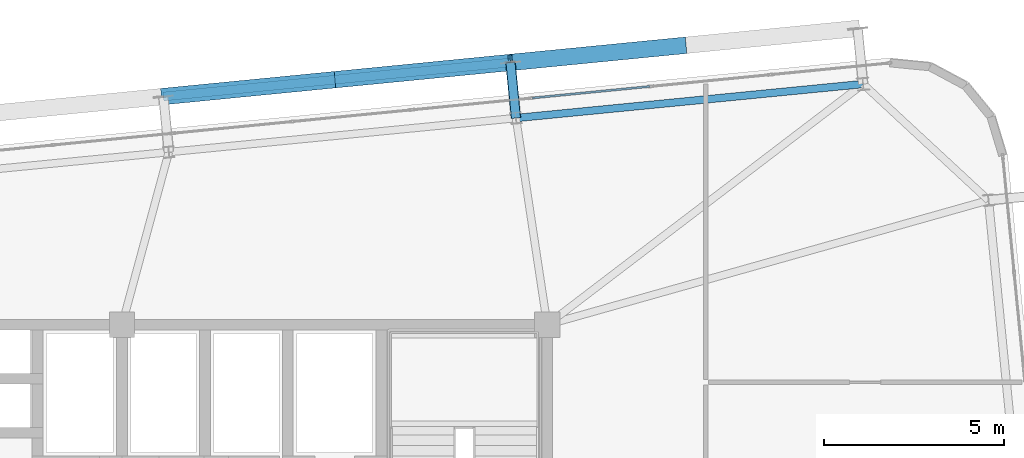
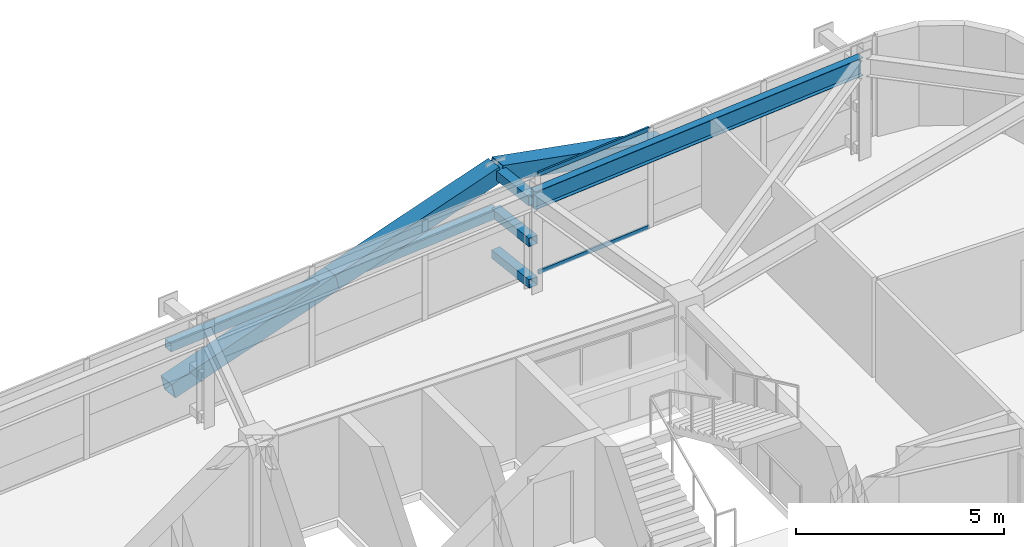
# One storey, part 32 of 53: 9 members, 1 beam, 1 element without a shape of its own.
"""IFC4 building model written with IfcOpenShell, lengths in metres."""

from ifc_helpers import new_model, si_unit, direction, frame, origin, origin_2d, place, context, subcontext, project, spatial, hollow_rectangle, i_section, extrude, source, transform, mapped, material, layer, layer_set, material_profile, profile_set, type_object, element, aggregate, save


model = new_model("IFC4")

# Units and contexts
model_context = context("Model", 3, precision=1e-05, world=origin(), true_north=direction((0.0, 1.0)))
body_context = subcontext(model_context, "Body", "Model", "MODEL_VIEW")
ifc_project = project(units=[si_unit("LENGTHUNIT", "METRE"), si_unit("AREAUNIT", "SQUARE_METRE"), si_unit("VOLUMEUNIT", "CUBIC_METRE"), si_unit("PLANEANGLEUNIT", "RADIAN"), si_unit("MASSUNIT", "GRAM", prefix="KILO")], contexts=[model_context])

# Site, building, storey
site_placement = place(None, origin())
site = spatial("IfcSite", under=ifc_project, at=site_placement, CompositionType="ELEMENT")
building_placement = place(site_placement, origin())
building = spatial("IfcBuilding", under=site, at=building_placement, Name="Taldren Reach Tower", CompositionType="ELEMENT")
storey_placement = place(building_placement, frame((0.0, 0.0, 84.0)))
storey = spatial("IfcBuildingStorey", under=building, at=storey_placement, Name="L25", CompositionType="ELEMENT", Elevation=84.0)

# Members
ifc_material_1 = material(Name="Steel Gr 450 (C450L0)", Category="steel")
ifc_material_profile_1 = material_profile(ifc_material_1, hollow_rectangle(XDim=0.27490234375, YDim=0.27490234375, WallThickness=0.00927734375, at=origin_2d()), Name="275x275x9.3SHS")
ifc_profile_set_1 = profile_set([ifc_material_profile_1], Name="Steel Gr 450 (C450L0)")
member_type_1 = type_object("IfcMemberType", Name="MB-TIE273", PredefinedType="STRUT", material=ifc_profile_set_1)
shared_shape_1 = source(origin(), body_context, "Body", "SweptSolid", [
    extrude(hollow_rectangle(XDim=0.27490234375, YDim=0.27490234375, WallThickness=0.00927734375, at=origin_2d()), origin(), (0.0, 0.0, 1.0), 1.5498046875),
])
member_1_placement = place(storey_placement, frame((50.132080078125, 37.7353515625, 2.64990234375), z_axis=(-0.097663201064, 0.995219523099, 0.0), x_axis=(-0.995219523099, -0.097663201064, 0.0)))
element("IfcMember", 1, at=member_1_placement, inside=storey, type_object=member_type_1, Name="Exoskeleton diaphragm tie strut B2-N5 L25", PredefinedType="STRUT", context=body_context, shape_type="MappedRepresentation", body=[
    mapped(shared_shape_1, transform((0.0, 0.0, 0.0), scale=1.0)),
])
ifc_material_2 = material(Name="Steel Gr 350 (C350L0)", Category="steel")
ifc_material_profile_2 = material_profile(ifc_material_2, hollow_rectangle(XDim=0.25, YDim=0.25, WallThickness=0.010009765625, at=origin_2d()), Name="250x250x10.0SHS")
ifc_profile_set_2 = profile_set([ifc_material_profile_2], Name="Steel Gr 350 (C350L0)")
member_type_2 = type_object("IfcMemberType", Name="MB-POST250", PredefinedType="POST", material=ifc_profile_set_2)
shared_shape_2 = source(origin(), body_context, "Body", "SweptSolid", [
    extrude(hollow_rectangle(XDim=0.25, YDim=0.25, WallThickness=0.010009765625, at=origin_2d()), origin(), (0.0, 0.0, 1.0), 1.5498046875),
])
for number, where, z_axis, x_axis, name in (
    (2, (50.132080078125, 37.7353515625, 0.219970703125), (-0.097663201064, 0.995219523099, 0.0), (-0.995219523099, -0.097663201064, 0.0), "Exoskeleton base diaphragm tie strut B2-N5 L25"),
    (3, (50.132080078125, 37.7353515625, 1.43505859375), (-0.097663201064, 0.995219523099, 0.0), (-0.995219523099, -0.097663201064, 0.0), "Exoskeleton mid-tier diaphragm tie B2-N5 L25"),
):
    element("IfcMember", number, at=place(storey_placement, frame(where, z_axis=z_axis, x_axis=x_axis)), inside=storey, type_object=member_type_2, Name=name, PredefinedType="POST", context=body_context, shape_type="MappedRepresentation", body=[
        mapped(shared_shape_2, transform((0.0, 0.0, 0.0), scale=1.0)),
    ])

# Beam
ifc_material_3 = material(Name="Steel Gr 350 (350PLUS)", Category="steel")
ifc_material_profile_3 = material_profile(ifc_material_3, i_section(OverallWidth=0.208984375, OverallDepth=0.528076171875, WebThickness=0.009521484375, FlangeThickness=0.01318359375, at=origin_2d()), Name="530UB82.0")
ifc_profile_set_3 = profile_set([ifc_material_profile_3], Name="Steel Gr 350 (350PLUS)")
beam_type = type_object("IfcBeamType", Name="SP-UB530B", PredefinedType="SPANDREL", material=ifc_profile_set_3)
shared_shape_3 = source(origin(), body_context, "Body", "SweptSolid", [
    extrude(i_section(OverallWidth=0.208984375, OverallDepth=0.528076171875, WebThickness=0.009521484375, FlangeThickness=0.01318359375, at=origin_2d()), origin(), (0.0, 0.0, 1.0), 9.679931640625),
])
beam_placement = place(storey_placement, frame((59.765869140625, 38.679931640625, 2.666015625), z_axis=(-0.995227612658, -0.097580730699, 0.0), x_axis=(0.097580730699, -0.995227612658, 0.0)))
element("IfcBeam", 4, at=beam_placement, inside=storey, type_object=beam_type, Name="Perimeter spandrel B2 N6-N5 L25", PredefinedType="SPANDREL", context=body_context, shape_type="MappedRepresentation", body=[
    mapped(shared_shape_3, transform((0.0, 0.0, 0.0), scale=1.0)),
])

# Members
ifc_material_profile_4 = material_profile(ifc_material_1, hollow_rectangle(XDim=0.4599609375, YDim=0.4599609375, WallThickness=0.01611328125, at=origin_2d()), Name="460x460x16.0SHS")
ifc_profile_set_4 = profile_set([ifc_material_profile_4], Name="Steel Gr 450 (C450L0)")
member_type_3 = type_object("IfcMemberType", Name="MB-EXO457", PredefinedType="BRACE", material=ifc_profile_set_4)
shared_shape_4 = source(origin(), body_context, "Body", "SweptSolid", [
    extrude(hollow_rectangle(XDim=0.4599609375, YDim=0.4599609375, WallThickness=0.01611328125, at=origin_2d()), origin(), (0.0, 0.0, 1.0), 4.990234375),
])
for number, where, z_axis, x_axis, name in (
    (5, (40.346923828125, 38.333251953125, 0.219970703125), (0.965271056716, 0.094667992638, 0.243494883389), (-0.097605711627, 0.995225162995, 0.0), "Exoskeleton Diagrid Brace B2-N4 L25"),
    (6, (45.163818359375, 38.8056640625, 1.43505859375), (0.965287024526, 0.094620633828, 0.24344998652), (-0.097555749586, 0.995230061706, 0.0), "Exoskeleton Diagrid Brace B2-N4 L25"),
    (7, (54.797607421875, 39.750244140625, 1.43505859375), (-0.965282554799, -0.094669120301, 0.243448859234), (0.097605711627, -0.995225162995, 0.0), "Exoskeleton Diagrid Brace B2-N5 L25"),
):
    element("IfcMember", number, at=place(storey_placement, frame(where, z_axis=z_axis, x_axis=x_axis)), inside=storey, type_object=member_type_3, Name=name, PredefinedType="BRACE", context=body_context, shape_type="MappedRepresentation", body=[
        mapped(shared_shape_4, transform((0.0, 0.0, 0.0), scale=1.0)),
    ])
shared_shape_5 = source(origin(), body_context, "Body", "SweptSolid", [
    extrude(hollow_rectangle(XDim=0.25, YDim=0.25, WallThickness=0.010009765625, at=origin_2d()), origin(), (0.0, 0.0, 1.0), 9.679931640625),
])
member_2_placement = place(storey_placement, frame((40.346923828125, 38.333251953125, 1.43505859375), z_axis=(0.995227612658, 0.097580730699, 0.0), x_axis=(-0.097580730699, 0.995227612658, 0.0)))
element("IfcMember", 8, at=member_2_placement, inside=storey, type_object=member_type_2, Name="Exoskeleton mid-height ring chord B2-N4 L25", PredefinedType="POST", context=body_context, shape_type="MappedRepresentation", body=[
    mapped(shared_shape_5, transform((0.0, 0.0, 0.0), scale=1.0)),
])

# Curtain wall, members
ifc_material_4 = material(Name="Aluminium and Low-E Glass Unitised System", Category="aluminium")
ifc_layer = layer(ifc_material_4, 0.159912109375)
ifc_layer_set = layer_set([ifc_layer], Name="Aluminium and Low-E Glass Unitised System")
curtain_wall_type = type_object("IfcCurtainWallType", Name="CW-SYS-3", PredefinedType="NOTDEFINED", material=ifc_layer_set)
curtain_wall_placement = place(storey_placement, origin())
curtain_wall = element("IfcCurtainWall", 9, at=curtain_wall_placement, inside=storey, type_object=curtain_wall_type, Name="Unitised curtain wall CW-L25-N", PredefinedType="NOTDEFINED")
ifc_material_5 = material(Name="Anodised Aluminium 6063-T6", Category="aluminium")
ifc_material_profile_5 = material_profile(ifc_material_5, hollow_rectangle(XDim=0.054931640625, YDim=0.1201171875, WallThickness=0.0029296875, at=origin_2d()), Name="ALU-120x55x3RHS")
ifc_profile_set_5 = profile_set([ifc_material_profile_5], Name="Anodised Aluminium 6063-T6")
member_type_4 = type_object("IfcMemberType", Name="CW-TRN-135", PredefinedType="USERDEFINED", material=ifc_profile_set_5)
shared_shape_6 = source(origin(), body_context, "Body", "SweptSolid", [
    extrude(hollow_rectangle(XDim=0.054931640625, YDim=0.1201171875, WallThickness=0.0029296875, at=origin_2d()), origin(), (0.0, 0.0, 1.0), 3.268310546875),
])
member_3_placement = place(storey_placement, frame((53.844970703125, 38.61181640625, 0.027587890625), z_axis=(-0.99522980512, -0.097558367146, 0.0), x_axis=(0.097558367146, -0.99522980512, 0.0)))
member_3 = element("IfcMember", 10, at=member_3_placement, type_object=member_type_4, Name="CW-3 transom 3.1", ObjectType="TRANSOM", PredefinedType="USERDEFINED", context=body_context, shape_type="MappedRepresentation", body=[
    mapped(shared_shape_6, transform((0.0, 0.0, 0.0), scale=1.0)),
])
member_4_placement = place(storey_placement, frame((53.844970703125, 38.61181640625, 2.902587890625), z_axis=(-0.99522980512, -0.097558367146, 0.0), x_axis=(0.097558367146, -0.99522980512, 0.0)))
member_4 = element("IfcMember", 11, at=member_4_placement, type_object=member_type_4, Name="CW-3 transom 3.2", ObjectType="TRANSOM", PredefinedType="USERDEFINED", context=body_context, shape_type="MappedRepresentation", body=[
    mapped(shared_shape_6, transform((0.0, 0.0, 0.0), scale=1.0)),
])
aggregate(curtain_wall, [member_3, member_4])

save(model, "model.ifc")
